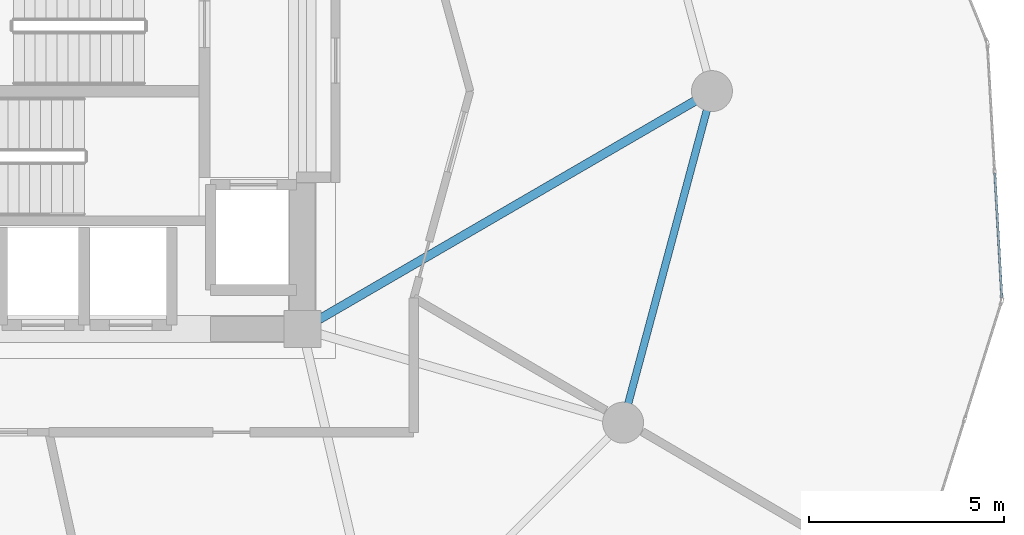
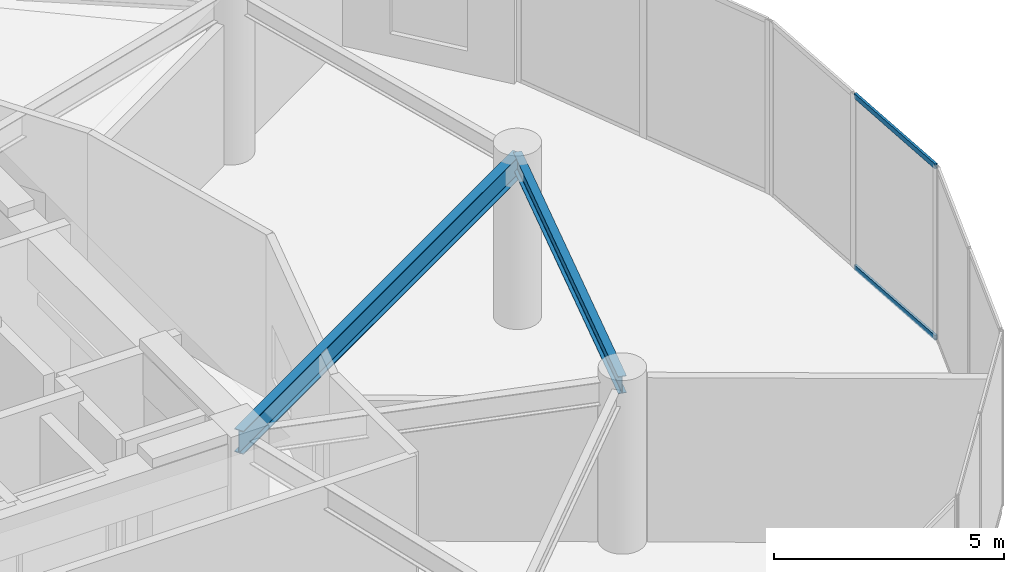
# One storey, part 14 of 28: 2 beams, 2 members, 1 element without a shape of its own.
"""IFC4 building model written with IfcOpenShell, lengths in metres."""

from ifc_helpers import new_model, si_unit, direction, frame, origin, origin_2d, place, context, subcontext, project, spatial, hollow_rectangle, i_section, extrude, source, transform, mapped, material, layer, layer_set, material_profile, profile_set, type_object, element, aggregate, save


model = new_model("IFC4")

# Units and contexts
model_context = context("Model", 3, precision=1e-05, world=origin(), true_north=direction((0.0, 1.0)))
body_context = subcontext(model_context, "Body", "Model", "MODEL_VIEW")
ifc_project = project(units=[si_unit("LENGTHUNIT", "METRE"), si_unit("AREAUNIT", "SQUARE_METRE"), si_unit("VOLUMEUNIT", "CUBIC_METRE"), si_unit("PLANEANGLEUNIT", "RADIAN"), si_unit("MASSUNIT", "GRAM", prefix="KILO")], contexts=[model_context])

# Site, building, storey
site_placement = place(None, origin())
site = spatial("IfcSite", under=ifc_project, at=site_placement, CompositionType="ELEMENT")
building_placement = place(site_placement, origin())
building = spatial("IfcBuilding", under=site, at=building_placement, Name="Solvirekh Grand Hotel", CompositionType="ELEMENT")
storey_placement = place(building_placement, frame((0.0, 0.0, 98.0)))
storey = spatial("IfcBuildingStorey", under=building, at=storey_placement, Name="L24", CompositionType="ELEMENT", Elevation=98.0)

# Beams
ifc_material_1 = material(Name="Steel S355", Category="steel")
ifc_material_profile_1 = material_profile(ifc_material_1, i_section(OverallWidth=0.22802734375, OverallDepth=0.616943359375, WebThickness=0.012939453125, FlangeThickness=0.02001953125, FilletRadius=0.014892578125, at=origin_2d()), Name="W610X140")
ifc_profile_set_1 = profile_set([ifc_material_profile_1], Name="Steel S355")
beam_type_1 = type_object("IfcBeamType", Name="Beam_Radial_W610", PredefinedType="BEAM", material=ifc_profile_set_1)
beam_1_placement = place(storey_placement, frame((6.5, -6.10009765625, 4.041015625), z_axis=(0.864670076815, 0.50234018181, 0.0), x_axis=(-0.50234018181, 0.864670076815, 0.0)))
element("IfcBeam", 1, at=beam_1_placement, inside=storey, type_object=beam_type_1, Name="L24 radial floor beam R01", PredefinedType="BEAM", context=body_context, shape_type="SweptSolid", body=[
    extrude(i_section(OverallWidth=0.22802734375, OverallDepth=0.616943359375, WebThickness=0.012939453125, FlangeThickness=0.02001953125, FilletRadius=0.014892578125, at=origin_2d()), origin(), (0.0, 0.0, 1.0), 12.143310546875),
])
ifc_material_profile_2 = material_profile(ifc_material_1, i_section(OverallWidth=0.18994140625, OverallDepth=0.45703125, WebThickness=0.009033203125, FlangeThickness=0.013916015625, FilletRadius=0.012939453125, at=origin_2d()), Name="W460X74")
ifc_profile_set_2 = profile_set([ifc_material_profile_2], Name="Steel S355")
beam_type_2 = type_object("IfcBeamType", Name="Spandrel_Ring_W460", PredefinedType="SPANDREL", material=ifc_profile_set_2)
beam_2_placement = place(storey_placement, frame((14.721923828125, -8.5, 4.12109375), z_axis=(0.258872908946, 0.965911391906, 0.0), x_axis=(-0.965911391906, 0.258872908946, 0.0)))
element("IfcBeam", 2, at=beam_2_placement, inside=storey, type_object=beam_type_2, Name="L24 perimeter spandrel beam 12", PredefinedType="SPANDREL", context=body_context, shape_type="SweptSolid", body=[
    extrude(i_section(OverallWidth=0.18994140625, OverallDepth=0.45703125, WebThickness=0.009033203125, FlangeThickness=0.013916015625, FilletRadius=0.012939453125, at=origin_2d()), origin(), (0.0, 0.0, 1.0), 8.800048828125),
])

# Curtain wall, members
ifc_material_2 = material(Name="Anodized Bronze Aluminium 6063-T6", Category="aluminium")
ifc_layer = layer(ifc_material_2, 0.18994140625)
ifc_layer_set = layer_set([ifc_layer], Name="Anodized Bronze Aluminium 6063-T6")
curtain_wall_type = type_object("IfcCurtainWallType", Name="CW_Sys5_SkyLobbyPanoramaCW", PredefinedType="NOTDEFINED", material=ifc_layer_set)
curtain_wall_placement = place(storey_placement, origin())
curtain_wall = element("IfcCurtainWall", 3, at=curtain_wall_placement, inside=storey, type_object=curtain_wall_type, Name="L24 unitised bronze-glass curtain wall CW-L24-C02", PredefinedType="NOTDEFINED")
ifc_material_profile_3 = material_profile(ifc_material_2, hollow_rectangle(XDim=0.06005859375, YDim=0.135009765625, WallThickness=0.00390625, at=origin_2d()), Name="ALU RHS 135X60X4")
ifc_profile_set_3 = profile_set([ifc_material_profile_3], Name="Anodized Bronze Aluminium 6063-T6")
member_type = type_object("IfcMemberType", Name="CWTransom_Sys5", PredefinedType="USERDEFINED", material=ifc_profile_set_3)
shared_shape = source(origin(), body_context, "Body", "SweptSolid", [
    extrude(hollow_rectangle(XDim=0.06005859375, YDim=0.135009765625, WallThickness=0.00390625, at=origin_2d()), origin(), (0.0, 0.0, 1.0), 3.201416015625),
])
member_1_placement = place(storey_placement, frame((24.43212890625, -5.297119140625, 0.030029296875), z_axis=(-0.056280953908, 0.998414970955, 0.0), x_axis=(-0.998414970955, -0.056280953908, 0.0)))
member_1 = element("IfcMember", 4, at=member_1_placement, type_object=member_type, Name="U05 transom 1.1", ObjectType="TRANSOM", PredefinedType="USERDEFINED", context=body_context, shape_type="MappedRepresentation", body=[
    mapped(shared_shape, transform((0.0, 0.0, 0.0), x_axis=(1.0, 0.0, 0.0), y_axis=(0.0, 1.0, 0.0), z_axis=(0.0, 0.0, 1.0), scale=1.0)),
])
member_2_placement = place(storey_placement, frame((24.43212890625, -5.297119140625, 4.570068359375), z_axis=(-0.056280953908, 0.998414970955, 0.0), x_axis=(-0.998414970955, -0.056280953908, 0.0)))
member_2 = element("IfcMember", 5, at=member_2_placement, type_object=member_type, Name="U05 transom 1.2", ObjectType="TRANSOM", PredefinedType="USERDEFINED", context=body_context, shape_type="MappedRepresentation", body=[
    mapped(shared_shape, transform((0.0, 0.0, 0.0), x_axis=(1.0, 0.0, 0.0), y_axis=(0.0, 1.0, 0.0), z_axis=(0.0, 0.0, 1.0), scale=1.0)),
])
aggregate(curtain_wall, [member_1, member_2])

save(model, "model.ifc")
